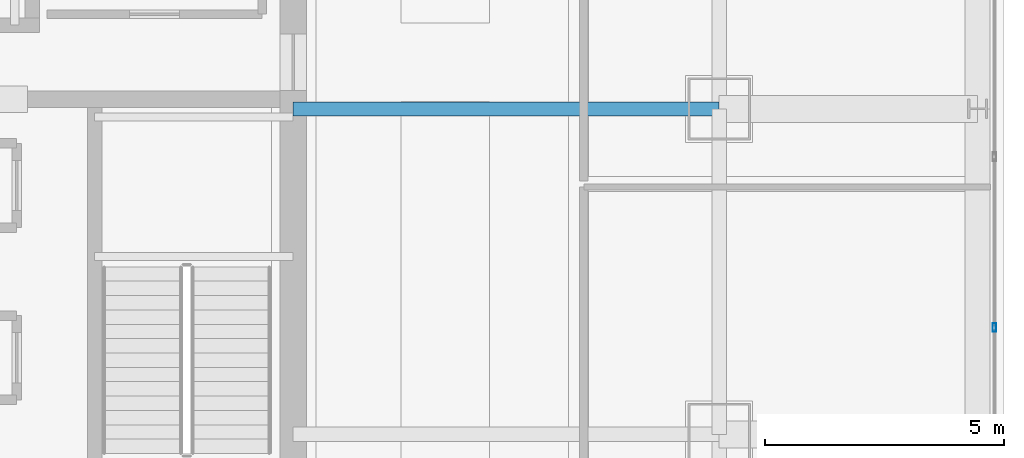
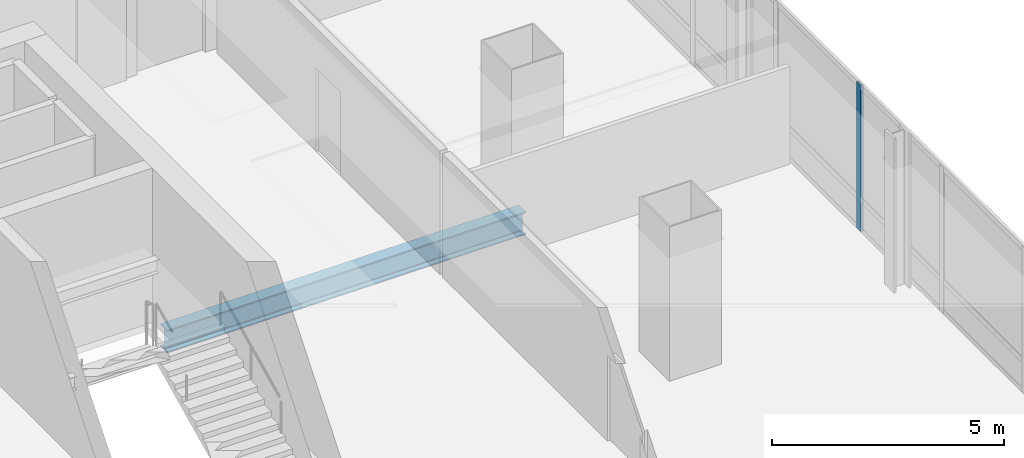
# One storey, part 18 of 40: 1 beam, 1 member, 1 element without a shape of its own.
"""IFC4 building model written with IfcOpenShell, lengths in metres."""

from ifc_helpers import new_model, si_unit, direction, frame, origin, origin_2d, place, context, subcontext, project, spatial, hollow_rectangle, i_section, extrude, material, material_profile, profile_set, type_object, element, aggregate, save


model = new_model("IFC4")

# Units and contexts
model_context = context("Model", 3, precision=1e-05, world=origin(), true_north=direction((0.0, 1.0)))
body_context = subcontext(model_context, "Body", "Model", "MODEL_VIEW")
ifc_project = project(units=[si_unit("LENGTHUNIT", "METRE"), si_unit("AREAUNIT", "SQUARE_METRE"), si_unit("VOLUMEUNIT", "CUBIC_METRE"), si_unit("PLANEANGLEUNIT", "RADIAN"), si_unit("MASSUNIT", "GRAM", prefix="KILO")], contexts=[model_context])

# Site, building, storey
site_placement = place(None, origin())
site = spatial("IfcSite", under=ifc_project, at=site_placement, CompositionType="ELEMENT")
building_placement = place(site_placement, origin())
building = spatial("IfcBuilding", under=site, at=building_placement, Name="Punatoya Terracotta Tower", CompositionType="ELEMENT")
storey_placement = place(building_placement, frame((0.0, 0.0, 271.64990234375)))
storey = spatial("IfcBuildingStorey", under=building, at=storey_placement, Name="L64", CompositionType="ELEMENT", Elevation=271.64990234375)

# Beam
ifc_material_1 = material(Name="Steel S355", Category="steel")
ifc_material_profile_1 = material_profile(ifc_material_1, i_section(OverallWidth=0.300048828125, OverallDepth=0.60009765625, WebThickness=0.015380859375, FlangeThickness=0.030029296875, FilletRadius=0.01806640625, at=origin_2d()))
ifc_profile_set_1 = profile_set([ifc_material_profile_1], Name="Steel S355")
beam_type = type_object("IfcBeamType", Name="BM-PRI-600", PredefinedType="BEAM", material=ifc_profile_set_1)
beam_placement = place(storey_placement, frame((10.199951171875, 3.39990234375, -0.5), z_axis=(1.0, 0.0, 0.0), x_axis=(0.0, 1.0, 0.0)))
element("IfcBeam", 1, at=beam_placement, inside=storey, type_object=beam_type, Name="BM-L64-PR-EE", PredefinedType="BEAM", context=body_context, shape_type="SweptSolid", body=[
    extrude(i_section(OverallWidth=0.300048828125, OverallDepth=0.60009765625, WebThickness=0.015380859375, FlangeThickness=0.030029296875, FilletRadius=0.01806640625, at=origin_2d()), origin(), (0.0, 0.0, 1.0), 8.900146484375),
])

# Curtain wall, member
ifc_material_2 = material(Name="Aluminium 6063-T6 + Double Low-E Glass", Category="aluminium")
curtain_wall_type = type_object("IfcCurtainWallType", Name="CW-M3", PredefinedType="NOTDEFINED", material=ifc_material_2)
curtain_wall_placement = place(storey_placement, origin())
curtain_wall = element("IfcCurtainWall", 2, at=curtain_wall_placement, inside=storey, type_object=curtain_wall_type, Name="L64 Curtain Wall CW-L64-E05-1", PredefinedType="NOTDEFINED")
ifc_material_3 = material(Name="Aluminium 6063-T6", Category="aluminium")
ifc_material_profile_2 = material_profile(ifc_material_3, hollow_rectangle(XDim=0.070068359375, YDim=0.179931640625, WallThickness=0.00390625, at=origin_2d()))
ifc_profile_set_2 = profile_set([ifc_material_profile_2], Name="Aluminium 6063-T6")
member_type = type_object("IfcMemberType", Name="CW-MUL-M3", PredefinedType="MULLION", material=ifc_profile_set_2)
member_placement = place(storey_placement, frame((24.85009765625, -1.16748046875, 0.0), z_axis=(0.0, 0.0, 1.0), x_axis=(1.0, 0.0, 0.0)))
member = element("IfcMember", 3, at=member_placement, type_object=member_type, Name="CW-L64-E05-1 Mullion 04", PredefinedType="MULLION", context=body_context, shape_type="SweptSolid", body=[
    extrude(hollow_rectangle(XDim=0.070068359375, YDim=0.179931640625, WallThickness=0.00390625, at=origin_2d()), origin(), (0.0, 0.0, 1.0), 3.85009765625),
])
aggregate(curtain_wall, [member])

save(model, "model.ifc")
